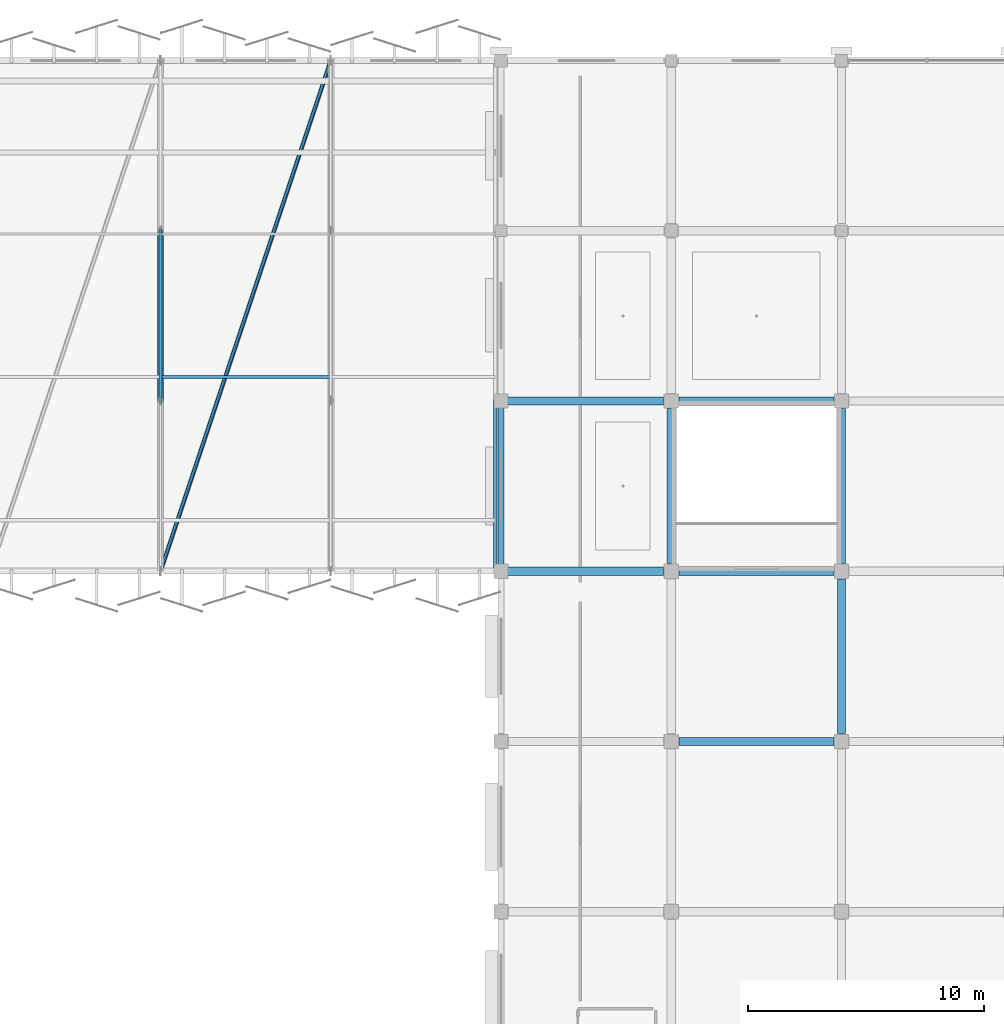
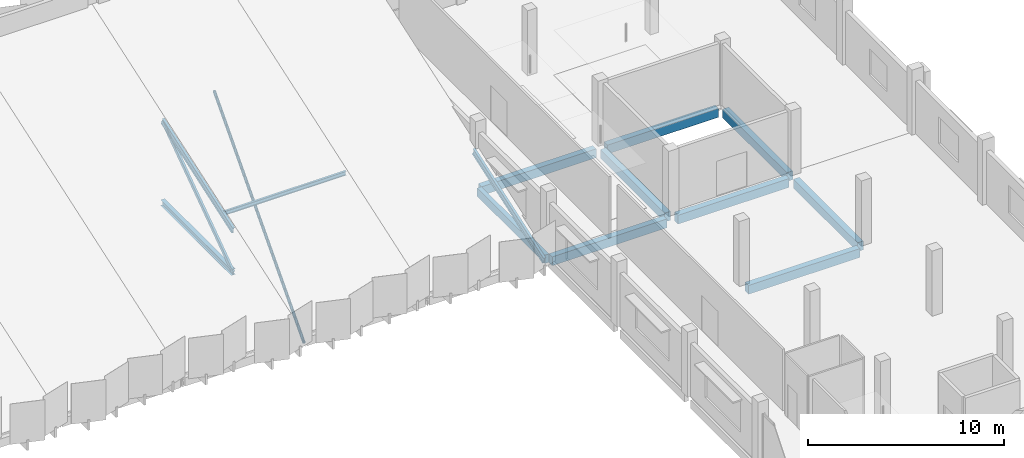
# One storey, part 23 of 59: 9 beams, 6 members.
"""IFC4 building model written with IfcOpenShell, lengths in metres."""

from ifc_helpers import new_model, si_unit, direction, frame, origin, origin_2d, place, context, subcontext, project, spatial, rectangle, hollow_rectangle, hollow_circle, i_section, extrude, material, material_profile, profile_set, type_object, element, save


model = new_model("IFC4")

# Units and contexts
model_context = context("Model", 3, precision=1e-05, world=origin(), true_north=direction((0.0, 1.0)))
body_context = subcontext(model_context, "Body", "Model", "MODEL_VIEW")
ifc_project = project(units=[si_unit("LENGTHUNIT", "METRE"), si_unit("AREAUNIT", "SQUARE_METRE"), si_unit("VOLUMEUNIT", "CUBIC_METRE"), si_unit("PLANEANGLEUNIT", "RADIAN"), si_unit("MASSUNIT", "GRAM", prefix="KILO")], contexts=[model_context])

# Site, building, storey
site_placement = place(None, origin())
site = spatial("IfcSite", under=ifc_project, at=site_placement, CompositionType="ELEMENT")
building_placement = place(site_placement, origin())
building = spatial("IfcBuilding", under=site, at=building_placement, Name="Kangsadwip Square Police Headquarters", CompositionType="ELEMENT")
storey_placement = place(building_placement, frame((0.0, 0.0, 21.60009765625)))
storey = spatial("IfcBuildingStorey", under=building, at=storey_placement, Name="L05", CompositionType="ELEMENT", Elevation=21.60009765625)

# Beams
ifc_material_1 = material(Name="Concrete M35 (35 MPa)", Category="concrete")
ifc_material_profile_1 = material_profile(ifc_material_1, rectangle(XDim=0.35009765625, YDim=0.550048828125, at=origin_2d()), Name="RC BM 550X350")
ifc_profile_set_1 = profile_set([ifc_material_profile_1], Name="Concrete M35 (35 MPa)")
beam_type_1 = type_object("IfcBeamType", Name="RcBeam550x350", PredefinedType="BEAM", material=ifc_profile_set_1)
beam_1_placement = place(storey_placement, frame((151.52490234375, 86.39990234375, -0.4951171875), z_axis=(1.0, 0.0, 0.0), x_axis=(0.0, 1.0, 0.0)))
element("IfcBeam", 1, at=beam_1_placement, inside=storey, type_object=beam_type_1, Name="Beam BM-L05-X-21-12", PredefinedType="BEAM", context=body_context, shape_type="SweptSolid", body=[
    extrude(rectangle(XDim=0.35009765625, YDim=0.550048828125, at=origin_2d()), origin(), (0.0, 0.0, 1.0), 6.550048828125),
])
beam_2_placement = place(storey_placement, frame((144.125, 93.60009765625, -0.4951171875), z_axis=(1.0, 0.0, 0.0), x_axis=(0.0, 1.0, 0.0)))
element("IfcBeam", 2, at=beam_2_placement, inside=storey, type_object=beam_type_1, Name="Beam BM-L05-X-20-13", PredefinedType="BEAM", context=body_context, shape_type="SweptSolid", body=[
    extrude(rectangle(XDim=0.35009765625, YDim=0.550048828125, at=origin_2d()), origin(), (0.0, 0.0, 1.0), 6.75),
])
beam_3_placement = place(storey_placement, frame((151.52490234375, 93.60009765625, -0.4951171875), z_axis=(1.0, 0.0, 0.0), x_axis=(0.0, 1.0, 0.0)))
element("IfcBeam", 3, at=beam_3_placement, inside=storey, type_object=beam_type_1, Name="Beam BM-L05-X-21-13", PredefinedType="BEAM", context=body_context, shape_type="SweptSolid", body=[
    extrude(rectangle(XDim=0.35009765625, YDim=0.550048828125, at=origin_2d()), origin(), (0.0, 0.0, 1.0), 6.550048828125),
])
beam_4_placement = place(storey_placement, frame((144.125, 100.800048828125, -0.4951171875), z_axis=(1.0, 0.0, 0.0), x_axis=(0.0, 1.0, 0.0)))
element("IfcBeam", 4, at=beam_4_placement, inside=storey, type_object=beam_type_1, Name="Beam BM-L05-X-20-14", PredefinedType="BEAM", context=body_context, shape_type="SweptSolid", body=[
    extrude(rectangle(XDim=0.35009765625, YDim=0.550048828125, at=origin_2d()), origin(), (0.0, 0.0, 1.0), 6.75),
])
for number, where, z_axis, x_axis, name in (
    (5, (151.52490234375, 100.800048828125, -0.4951171875), (1.0, 0.0, 0.0), (0.0, 1.0, 0.0), "Beam BM-L05-X-21-14"),
    (6, (151.199951171875, 93.925048828125, -0.4951171875), (0.0, 1.0, 0.0), (-1.0, 0.0, 0.0), "Beam BM-L05-Y-21-13"),
):
    element("IfcBeam", number, at=place(storey_placement, frame(where, z_axis=z_axis, x_axis=x_axis)), inside=storey, type_object=beam_type_1, Name=name, PredefinedType="BEAM", context=body_context, shape_type="SweptSolid", body=[
        extrude(rectangle(XDim=0.35009765625, YDim=0.550048828125, at=origin_2d()), origin(), (0.0, 0.0, 1.0), 6.550048828125),
    ])
beam_5_placement = place(storey_placement, frame((158.39990234375, 86.72509765625, -0.4951171875), z_axis=(0.0, 1.0, 0.0), x_axis=(-1.0, 0.0, 0.0)))
element("IfcBeam", 7, at=beam_5_placement, inside=storey, type_object=beam_type_1, Name="Beam BM-L05-Y-22-12", PredefinedType="BEAM", context=body_context, shape_type="SweptSolid", body=[
    extrude(rectangle(XDim=0.35009765625, YDim=0.550048828125, at=origin_2d()), origin(), (0.0, 0.0, 1.0), 6.5498046875),
])
beam_6_placement = place(storey_placement, frame((158.39990234375, 93.925048828125, -0.4951171875), z_axis=(0.0, 1.0, 0.0), x_axis=(-1.0, 0.0, 0.0)))
element("IfcBeam", 8, at=beam_6_placement, inside=storey, type_object=beam_type_1, Name="Beam BM-L05-Y-22-13", PredefinedType="BEAM", context=body_context, shape_type="SweptSolid", body=[
    extrude(rectangle(XDim=0.35009765625, YDim=0.550048828125, at=origin_2d()), origin(), (0.0, 0.0, 1.0), 6.550048828125),
])
ifc_material_2 = material(Name="Concrete M35 (35 MPa)", Category="concrete")
ifc_material_profile_2 = material_profile(ifc_material_2, rectangle(XDim=0.25, YDim=0.52001953125, at=origin_2d()), Name="RC SPN 520X250")
ifc_profile_set_2 = profile_set([ifc_material_profile_2], Name="Concrete M35 (35 MPa)")
beam_type_2 = type_object("IfcBeamType", Name="RcSpandrel520x250", PredefinedType="SPANDREL", material=ifc_profile_set_2)
beam_7_placement = place(storey_placement, frame((144.0, 93.75, -0.47998046875), z_axis=(0.0, 1.0, 0.0), x_axis=(-1.0, 0.0, 0.0)))
element("IfcBeam", 9, at=beam_7_placement, inside=storey, type_object=beam_type_2, Name="Beam BM-L05-Y-20-13", PredefinedType="SPANDREL", context=body_context, shape_type="SweptSolid", body=[
    extrude(rectangle(XDim=0.25, YDim=0.52001953125, at=origin_2d()), origin(), (0.0, 0.0, 1.0), 6.89990234375),
])

# Members
ifc_material_3 = material(Name="Structural steel IS 2062 E350 (Grade 350, 350 MPa)", Category="steel")
ifc_material_profile_3 = material_profile(ifc_material_3, i_section(OverallWidth=0.125, OverallDepth=0.25, WebThickness=0.0068359375, FlangeThickness=0.012451171875, at=origin_2d()), Name="ISMB 250")
ifc_profile_set_3 = profile_set([ifc_material_profile_3], Name="Structural steel IS 2062 E350 (Grade 350, 350 MPa)")
member_type_1 = type_object("IfcMemberType", Name="RoofPurlinIsmb250", PredefinedType="PURLIN", material=ifc_profile_set_3)
member_1_placement = place(storey_placement, frame((129.60009765625, 101.80810546875, 2.5068359375), z_axis=(1.0, 0.0, 0.0), x_axis=(0.0, 1.0, 0.0)))
element("IfcMember", 10, at=member_1_placement, inside=storey, type_object=member_type_1, Name="Truss Member MEM-L05-0227", PredefinedType="PURLIN", context=body_context, shape_type="SweptSolid", body=[
    extrude(i_section(OverallWidth=0.125, OverallDepth=0.25, WebThickness=0.0068359375, FlangeThickness=0.012451171875, at=origin_2d()), origin(), (0.0, 0.0, 1.0), 7.199951171875),
])
ifc_material_4 = material(Name="Structural steel IS 2062 E350 (Grade 350, 350 MPa)", Category="steel")
ifc_material_profile_4 = material_profile(ifc_material_4, hollow_circle(Radius=0.083984375, WallThickness=0.008056640625, at=origin_2d()), Name="CHS 168X8")
ifc_profile_set_4 = profile_set([ifc_material_profile_4], Name="Structural steel IS 2062 E350 (Grade 350, 350 MPa)")
member_type_2 = type_object("IfcMemberType", Name="RoofWindBraceChs168", PredefinedType="BRACE", material=ifc_profile_set_4)
member_2_placement = place(storey_placement, frame((129.60009765625, 93.60009765625, -0.550048828125), z_axis=(0.316227766017, 0.948683298051, 0.0), x_axis=(-0.948683298051, 0.316227766017, 0.0)))
element("IfcMember", 11, at=member_2_placement, inside=storey, type_object=member_type_2, Name="Truss Member MEM-L05-0231", PredefinedType="BRACE", context=body_context, shape_type="SweptSolid", body=[
    extrude(hollow_circle(Radius=0.083984375, WallThickness=0.008056640625, at=origin_2d()), origin(), (0.0, 0.0, 1.0), 22.768310546875),
])
ifc_material_5 = material(Name="Structural steel IS 2062 E350 (Grade 350, 350 MPa)", Category="steel")
ifc_material_profile_5 = material_profile(ifc_material_5, i_section(OverallWidth=0.139892578125, OverallDepth=0.39990234375, WebThickness=0.0087890625, FlangeThickness=0.01611328125, at=origin_2d()), Name="ISMB 400")
ifc_profile_set_5 = profile_set([ifc_material_profile_5], Name="Structural steel IS 2062 E350 (Grade 350, 350 MPa)")
member_type_3 = type_object("IfcMemberType", Name="SawtoothRafterIsmb400", PredefinedType="RAFTER", material=ifc_profile_set_5)
for number, where, z_axis, x_axis, name in (
    (12, (129.60009765625, 100.800048828125, 2.046630859375), (0.0, 0.946026616665, 0.324088939275), (-1.0, 0.0, 0.0), "Truss Member MEM-L05-0174"),
    (13, (143.75, 93.60009765625, -0.420166015625), (0.0, 0.946016781172, 0.324117647993), (-1.0, 0.0, 0.0), "Truss Member MEM-L05-0194"),
):
    element("IfcMember", number, at=place(storey_placement, frame(where, z_axis=z_axis, x_axis=x_axis)), inside=storey, type_object=member_type_3, Name=name, PredefinedType="RAFTER", context=body_context, shape_type="SweptSolid", body=[
        extrude(i_section(OverallWidth=0.139892578125, OverallDepth=0.39990234375, WebThickness=0.0087890625, FlangeThickness=0.01611328125, at=origin_2d()), origin(), (0.0, 0.0, 1.0), 7.61083984375),
    ])
ifc_material_6 = material(Name="Structural steel IS 2062 E350 (Grade 350, 350 MPa)", Category="steel")
ifc_material_profile_6 = material_profile(ifc_material_6, i_section(OverallWidth=0.25, OverallDepth=0.35009765625, WebThickness=0.010009765625, FlangeThickness=0.01171875, at=origin_2d()), Name="ISHB 350")
ifc_profile_set_6 = profile_set([ifc_material_profile_6], Name="Structural steel IS 2062 E350 (Grade 350, 350 MPa)")
member_type_4 = type_object("IfcMemberType", Name="TrussBotChordIshb350", PredefinedType="CHORD", material=ifc_profile_set_6)
member_3_placement = place(storey_placement, frame((129.60009765625, 100.800048828125, -0.550048828125), z_axis=(0.0, 1.0, 0.0), x_axis=(-1.0, 0.0, 0.0)))
element("IfcMember", 14, at=member_3_placement, inside=storey, type_object=member_type_4, Name="Truss Member MEM-L05-0171", PredefinedType="CHORD", context=body_context, shape_type="SweptSolid", body=[
    extrude(i_section(OverallWidth=0.25, OverallDepth=0.35009765625, WebThickness=0.010009765625, FlangeThickness=0.01171875, at=origin_2d()), origin(), (0.0, 0.0, 1.0), 7.199951171875),
])
ifc_material_7 = material(Name="Structural steel IS 2062 E350 (Grade 350, 350 MPa)", Category="steel")
ifc_material_profile_7 = material_profile(ifc_material_7, hollow_rectangle(XDim=0.1201171875, YDim=0.239990234375, WallThickness=0.008056640625, at=origin_2d()), Name="RHS 240X120X8")
ifc_profile_set_7 = profile_set([ifc_material_profile_7], Name="Structural steel IS 2062 E350 (Grade 350, 350 MPa)")
member_type_5 = type_object("IfcMemberType", Name="TrussBraceRhs240", PredefinedType="BRACE", material=ifc_profile_set_7)
member_4_placement = place(storey_placement, frame((129.60009765625, 100.800048828125, -0.550048828125), z_axis=(0.0, 0.817988169537, 0.575235042828), x_axis=(-1.0, 0.0, 0.0)))
element("IfcMember", 15, at=member_4_placement, inside=storey, type_object=member_type_5, Name="Truss Member MEM-L05-0180", PredefinedType="BRACE", context=body_context, shape_type="SweptSolid", body=[
    extrude(hollow_rectangle(XDim=0.1201171875, YDim=0.239990234375, WallThickness=0.008056640625, at=origin_2d()), origin(), (0.0, 0.0, 1.0), 8.802001953125),
])

save(model, "model.ifc")
